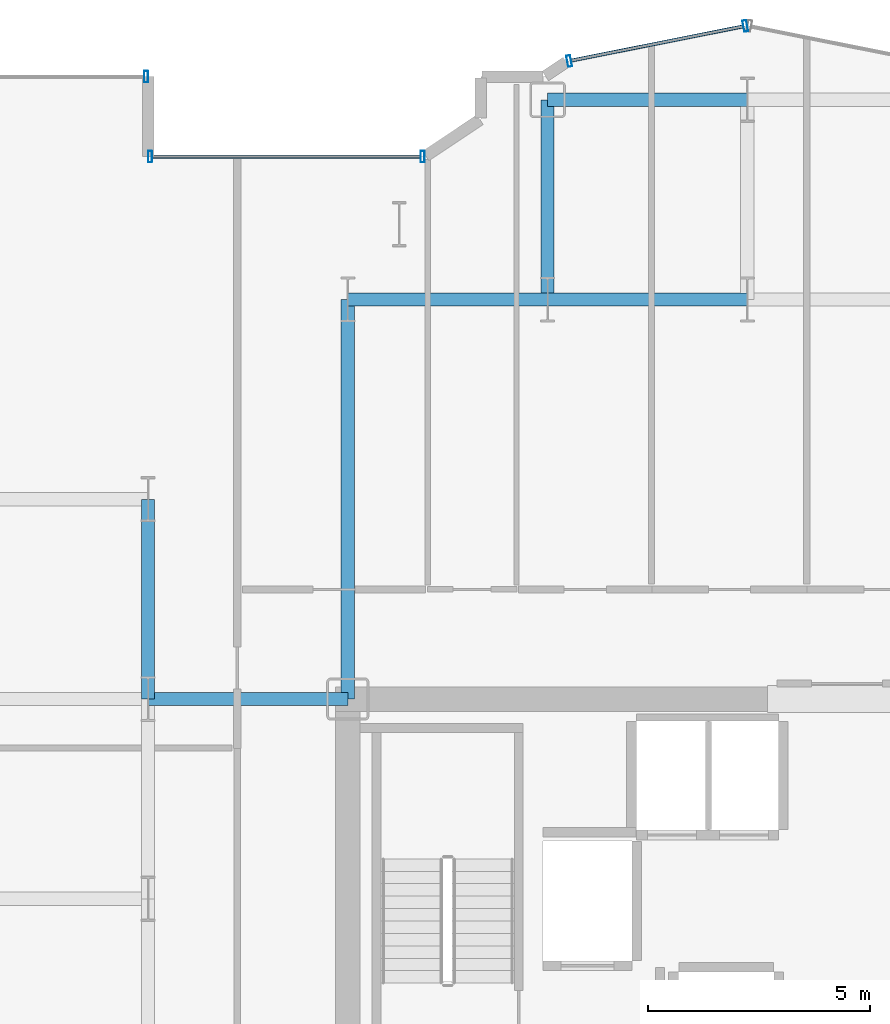
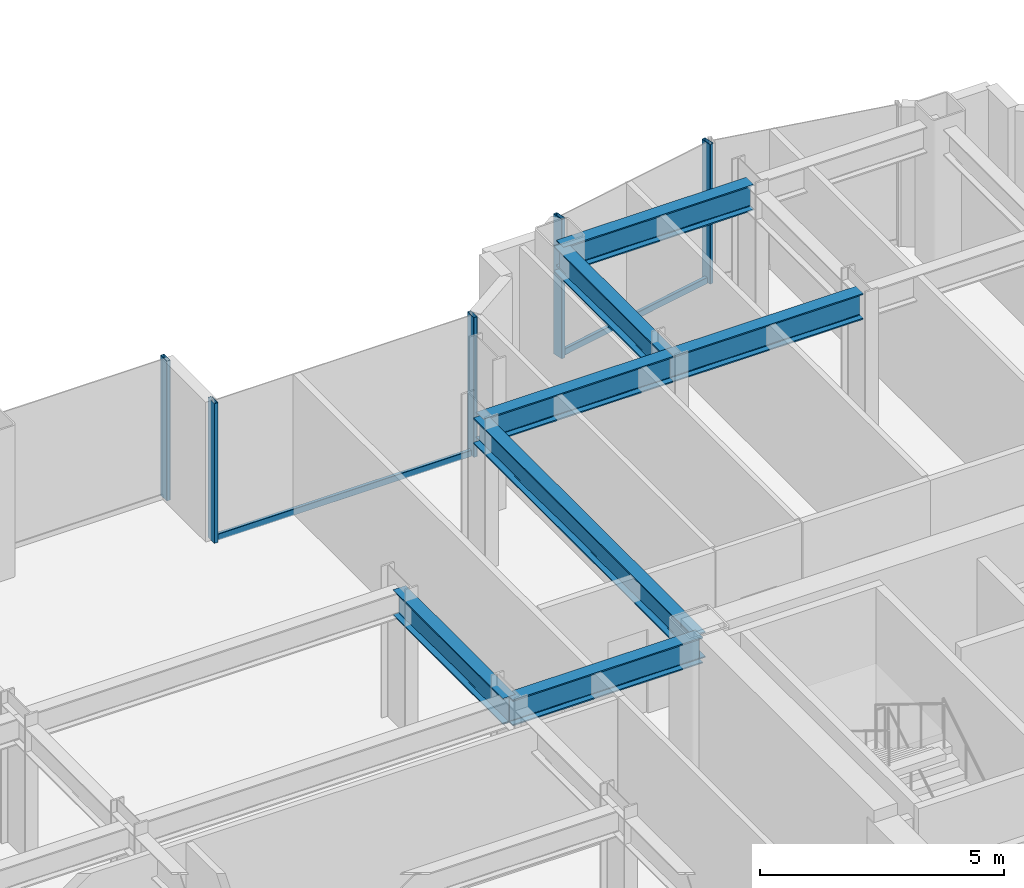
# One storey, part 10 of 26: 7 beams, 7 members, 3 elements without a shape of their own.
"""IFC4 building model written with IfcOpenShell, lengths in metres."""

from ifc_helpers import new_model, si_unit, direction, frame, origin, origin_2d, place, context, subcontext, project, spatial, hollow_rectangle, i_section, extrude, source, transform, mapped, material, layer, layer_set, material_profile, profile_set, type_object, element, aggregate, save


model = new_model("IFC4")

# Units and contexts
model_context = context("Model", 3, precision=1e-05, world=origin(), true_north=direction((0.0, 1.0)))
body_context = subcontext(model_context, "Body", "Model", "MODEL_VIEW")
ifc_project = project(units=[si_unit("LENGTHUNIT", "METRE"), si_unit("AREAUNIT", "SQUARE_METRE"), si_unit("VOLUMEUNIT", "CUBIC_METRE"), si_unit("PLANEANGLEUNIT", "RADIAN"), si_unit("MASSUNIT", "GRAM", prefix="KILO")], contexts=[model_context])

# Site, building, storey
site_placement = place(None, origin())
site = spatial("IfcSite", under=ifc_project, at=site_placement, CompositionType="ELEMENT")
building_placement = place(site_placement, origin())
building = spatial("IfcBuilding", under=site, at=building_placement, Name="Nefas-Gora Pilgrimage Tower", CompositionType="ELEMENT")
storey_placement = place(building_placement, frame((0.0, 0.0, 140.199951171875)))
storey = spatial("IfcBuildingStorey", under=building, at=storey_placement, Name="L34", CompositionType="ELEMENT", Elevation=140.199951171875)

# Beams
ifc_material_1 = material(Name="Steel S355", Category="steel")
ifc_material_profile_1 = material_profile(ifc_material_1, i_section(OverallWidth=0.300048828125, OverallDepth=0.64990234375, WebThickness=0.01611328125, FlangeThickness=0.031005859375, FilletRadius=0.027099609375, at=origin_2d()), Name="HEB 650")
ifc_profile_set_1 = profile_set([ifc_material_profile_1], Name="Steel S355")
beam_type = type_object("IfcBeamType", Name="BM-GIR-HEB650", PredefinedType="BEAM", material=ifc_profile_set_1)
shared_shape_1 = source(origin(), body_context, "Body", "SweptSolid", [
    extrude(i_section(OverallWidth=0.300048828125, OverallDepth=0.64990234375, WebThickness=0.01611328125, FlangeThickness=0.031005859375, FilletRadius=0.027099609375, at=origin_2d()), origin(), (0.0, 0.0, 1.0), 9.0),
])
beam_placement = place(storey_placement, frame((-11.25, 9.0, 3.175048828125), z_axis=(0.0, 1.0, 0.0), x_axis=(-1.0, 0.0, 0.0)))
element("IfcBeam", 1, at=beam_placement, inside=storey, type_object=beam_type, Name="L34 G-03 beam", PredefinedType="BEAM", context=body_context, shape_type="MappedRepresentation", body=[
    mapped(shared_shape_1, transform((0.0, 0.0, 0.0), x_axis=(1.0, 0.0, 0.0), y_axis=(0.0, 1.0, 0.0), z_axis=(0.0, 0.0, 1.0), scale=1.0)),
])
shared_shape_2 = source(origin(), body_context, "Body", "SweptSolid", [
    extrude(i_section(OverallWidth=0.300048828125, OverallDepth=0.64990234375, WebThickness=0.01611328125, FlangeThickness=0.031005859375, FilletRadius=0.027099609375, at=origin_2d()), origin(), (0.0, 0.0, 1.0), 4.5),
])
for number, where, z_axis, x_axis, name in (
    (2, (-15.75, 9.0, 3.175048828125), (0.0, 1.0, 0.0), (-1.0, 0.0, 0.0), "L34 G-03 beam"),
    (3, (-15.75, 9.0, 3.175048828125), (1.0, 0.0, 0.0), (0.0, 1.0, 0.0), "L34 G-03 beam"),
    (4, (-11.25, 18.0, 3.175048828125), (1.0, 0.0, 0.0), (0.0, 1.0, 0.0), "L34 G-03 beam"),
    (5, (-6.75, 18.0, 3.175048828125), (0.0, 1.0, 0.0), (-1.0, 0.0, 0.0), "L34 G-03 beam"),
    (6, (-6.75, 18.0, 3.175048828125), (1.0, 0.0, 0.0), (0.0, 1.0, 0.0), "L34 G-03 beam"),
    (7, (-6.75, 22.5, 3.175048828125), (1.0, 0.0, 0.0), (0.0, 1.0, 0.0), "L34 G-03 beam"),
):
    element("IfcBeam", number, at=place(storey_placement, frame(where, z_axis=z_axis, x_axis=x_axis)), inside=storey, type_object=beam_type, Name=name, PredefinedType="BEAM", context=body_context, shape_type="MappedRepresentation", body=[
        mapped(shared_shape_2, transform((0.0, 0.0, 0.0), x_axis=(1.0, 0.0, 0.0), y_axis=(0.0, 1.0, 0.0), z_axis=(0.0, 0.0, 1.0), scale=1.0)),
    ])

# Curtain wall, member
ifc_material_2 = material(Name="Dark ceramic-fritted solar-control aluminium-glass curtain wall", Category="aluminium")
ifc_layer_1 = layer(ifc_material_2, 0.219970703125)
ifc_layer_set_1 = layer_set([ifc_layer_1], Name="Dark ceramic-fritted solar-control aluminium-glass curtain wall")
curtain_wall_type_1 = type_object("IfcCurtainWallType", Name="CW-SYS-5", PredefinedType="NOTDEFINED", material=ifc_layer_set_1)
curtain_wall_1_placement = place(storey_placement, origin())
curtain_wall_1 = element("IfcCurtainWall", 8, at=curtain_wall_1_placement, inside=storey, type_object=curtain_wall_type_1, Name="L34 Unitised Curtain Wall CW5", PredefinedType="NOTDEFINED")
ifc_material_3 = material(Name="Anodised architectural aluminium", Category="aluminium")
ifc_material_profile_2 = material_profile(ifc_material_3, hollow_rectangle(XDim=0.080078125, YDim=0.159912109375, WallThickness=0.00439453125, InnerFilletRadius=0.00439453125, OuterFilletRadius=0.009033203125, at=origin_2d()), Name="ALU TRANSOM 80x160")
ifc_profile_set_2 = profile_set([ifc_material_profile_2], Name="Anodised architectural aluminium")
member_type_1 = type_object("IfcMemberType", Name="CWM-TRN-5", PredefinedType="USERDEFINED", material=ifc_profile_set_2)
shared_shape_3 = source(origin(), body_context, "Body", "SweptSolid", [
    extrude(hollow_rectangle(XDim=0.080078125, YDim=0.159912109375, WallThickness=0.00439453125, InnerFilletRadius=0.00439453125, OuterFilletRadius=0.009033203125, at=origin_2d()), origin(), (0.0, 0.0, 1.0), 6.052001953125),
])
member_1_placement = place(storey_placement, frame((-9.60791015625, 21.219970703125, 0.050048828125), z_axis=(-1.0, 0.0, 0.0), x_axis=(0.0, -1.0, 0.0)))
member_1 = element("IfcMember", 9, at=member_1_placement, type_object=member_type_1, Name="CW5 Spandrel Transom", ObjectType="TRANSOM", PredefinedType="USERDEFINED", context=body_context, shape_type="MappedRepresentation", body=[
    mapped(shared_shape_3, transform((0.0, 0.0, 0.0), x_axis=(1.0, 0.0, 0.0), y_axis=(0.0, 1.0, 0.0), z_axis=(0.0, 0.0, 1.0), scale=1.0)),
])

# Curtain wall, members
curtain_wall_2_placement = place(storey_placement, origin())
curtain_wall_2 = element("IfcCurtainWall", 10, at=curtain_wall_2_placement, inside=storey, type_object=curtain_wall_type_1, Name="L34 Unitised Curtain Wall CW5", PredefinedType="NOTDEFINED")
shared_shape_4 = source(origin(), body_context, "Body", "SweptSolid", [
    extrude(hollow_rectangle(XDim=0.080078125, YDim=0.159912109375, WallThickness=0.00439453125, InnerFilletRadius=0.00439453125, OuterFilletRadius=0.009033203125, at=origin_2d()), origin(), (0.0, 0.0, 1.0), 3.95654296875),
])
member_2_placement = place(storey_placement, frame((-2.33837890625, 24.15478515625, 0.050048828125), z_axis=(-0.980781880918, -0.195107411605, 0.0), x_axis=(0.195107411605, -0.980781880918, 0.0)))
member_2 = element("IfcMember", 11, at=member_2_placement, type_object=member_type_1, Name="CW5 Spandrel Transom", ObjectType="TRANSOM", PredefinedType="USERDEFINED", context=body_context, shape_type="MappedRepresentation", body=[
    mapped(shared_shape_4, transform((0.0, 0.0, 0.0), x_axis=(1.0, 0.0, 0.0), y_axis=(0.0, 1.0, 0.0), z_axis=(0.0, 0.0, 1.0), scale=1.0)),
])
ifc_material_profile_3 = material_profile(ifc_material_3, hollow_rectangle(XDim=0.090087890625, YDim=0.260009765625, WallThickness=0.006103515625, InnerFilletRadius=0.006103515625, OuterFilletRadius=0.011962890625, at=origin_2d()), Name="ALU MULLION 90x260")
ifc_profile_set_3 = profile_set([ifc_material_profile_3], Name="Anodised architectural aluminium")
member_type_2 = type_object("IfcMemberType", Name="CWM-MUL-5", PredefinedType="MULLION", material=ifc_profile_set_3)
shared_shape_5 = source(origin(), body_context, "Body", "SweptSolid", [
    extrude(hollow_rectangle(XDim=0.090087890625, YDim=0.260009765625, WallThickness=0.006103515625, InnerFilletRadius=0.006103515625, OuterFilletRadius=0.011962890625, at=origin_2d()), origin(), (0.0, 0.0, 1.0), 3.5),
])
member_3_placement = place(storey_placement, frame((-2.294189453125, 24.16357421875, 0.0), z_axis=(0.0, 0.0, 1.0), x_axis=(-0.980782896852, -0.195102304554, 0.0)))
member_3 = element("IfcMember", 12, at=member_3_placement, type_object=member_type_2, Name="CW5 Mullion 1", PredefinedType="MULLION", context=body_context, shape_type="MappedRepresentation", body=[
    mapped(shared_shape_5, transform((0.0, 0.0, 0.0), x_axis=(1.0, 0.0, 0.0), y_axis=(0.0, 1.0, 0.0), z_axis=(0.0, 0.0, 1.0), scale=1.0)),
])
member_4_placement = place(storey_placement, frame((-6.26318359375, 23.3740234375, 0.0), z_axis=(0.0, 0.0, 1.0), x_axis=(-0.980782896852, -0.195102304554, 0.0)))
member_4 = element("IfcMember", 13, at=member_4_placement, type_object=member_type_2, Name="CW5 Mullion 2", PredefinedType="MULLION", context=body_context, shape_type="MappedRepresentation", body=[
    mapped(shared_shape_5, transform((0.0, 0.0, 0.0), x_axis=(1.0, 0.0, 0.0), y_axis=(0.0, 1.0, 0.0), z_axis=(0.0, 0.0, 1.0), scale=1.0)),
])
aggregate(curtain_wall_2, [member_3, member_4, member_2])

# Member
member_5_placement = place(storey_placement, frame((-9.56298828125, 21.219970703125, 0.0), z_axis=(0.0, 0.0, 1.0), x_axis=(-1.0, 0.0, 0.0)))
member_5 = element("IfcMember", 14, at=member_5_placement, type_object=member_type_2, Name="CW5 Mullion 1", PredefinedType="MULLION", context=body_context, shape_type="MappedRepresentation", body=[
    mapped(shared_shape_5, transform((0.0, 0.0, 0.0), x_axis=(1.0, 0.0, 0.0), y_axis=(0.0, 1.0, 0.0), z_axis=(0.0, 0.0, 1.0), scale=1.0)),
])

member_6_placement = place(storey_placement, frame((-15.705078125, 21.219970703125, 0.0), z_axis=(0.0, 0.0, 1.0), x_axis=(-1.0, 0.0, 0.0)))
member_6 = element("IfcMember", 15, at=member_6_placement, type_object=member_type_2, Name="CW5 Mullion 2", PredefinedType="MULLION", context=body_context, shape_type="MappedRepresentation", body=[
    mapped(shared_shape_5, transform((0.0, 0.0, 0.0), x_axis=(1.0, 0.0, 0.0), y_axis=(0.0, 1.0, 0.0), z_axis=(0.0, 0.0, 1.0), scale=1.0)),
])

aggregate(curtain_wall_1, [member_5, member_6, member_1])

# Curtain wall, member
ifc_layer_2 = layer(ifc_material_2, 0.219970703125)
ifc_layer_set_2 = layer_set([ifc_layer_2], Name="Dark ceramic-fritted solar-control aluminium-glass curtain wall")
curtain_wall_type_2 = type_object("IfcCurtainWallType", Name="CW-SYS-2", PredefinedType="NOTDEFINED", material=ifc_layer_set_2)
curtain_wall_3_placement = place(storey_placement, origin())
curtain_wall_3 = element("IfcCurtainWall", 16, at=curtain_wall_3_placement, inside=storey, type_object=curtain_wall_type_2, Name="L34 Unitised Curtain Wall CW2", PredefinedType="NOTDEFINED")
ifc_material_profile_4 = material_profile(ifc_material_3, hollow_rectangle(XDim=0.090087890625, YDim=0.260009765625, WallThickness=0.006103515625, InnerFilletRadius=0.006103515625, OuterFilletRadius=0.011962890625, at=origin_2d()), Name="ALU MULLION 90x260")
ifc_profile_set_4 = profile_set([ifc_material_profile_4], Name="Anodised architectural aluminium")
member_type_3 = type_object("IfcMemberType", Name="CWM-MUL-2", PredefinedType="MULLION", material=ifc_profile_set_4)
shared_shape_6 = source(origin(), body_context, "Body", "SweptSolid", [
    extrude(hollow_rectangle(XDim=0.090087890625, YDim=0.260009765625, WallThickness=0.006103515625, InnerFilletRadius=0.006103515625, OuterFilletRadius=0.011962890625, at=origin_2d()), origin(), (0.0, 0.0, 1.0), 3.5),
])
member_7_placement = place(storey_placement, frame((-15.794921875, 23.02001953125, 0.0), z_axis=(0.0, 0.0, 1.0), x_axis=(-1.0, 0.0, 0.0)))
member_7 = element("IfcMember", 17, at=member_7_placement, type_object=member_type_3, Name="CW2 Mullion 1", PredefinedType="MULLION", context=body_context, shape_type="MappedRepresentation", body=[
    mapped(shared_shape_6, transform((0.0, 0.0, 0.0), x_axis=(1.0, 0.0, 0.0), y_axis=(0.0, 1.0, 0.0), z_axis=(0.0, 0.0, 1.0), scale=1.0)),
])
aggregate(curtain_wall_3, [member_7])

save(model, "model.ifc")
